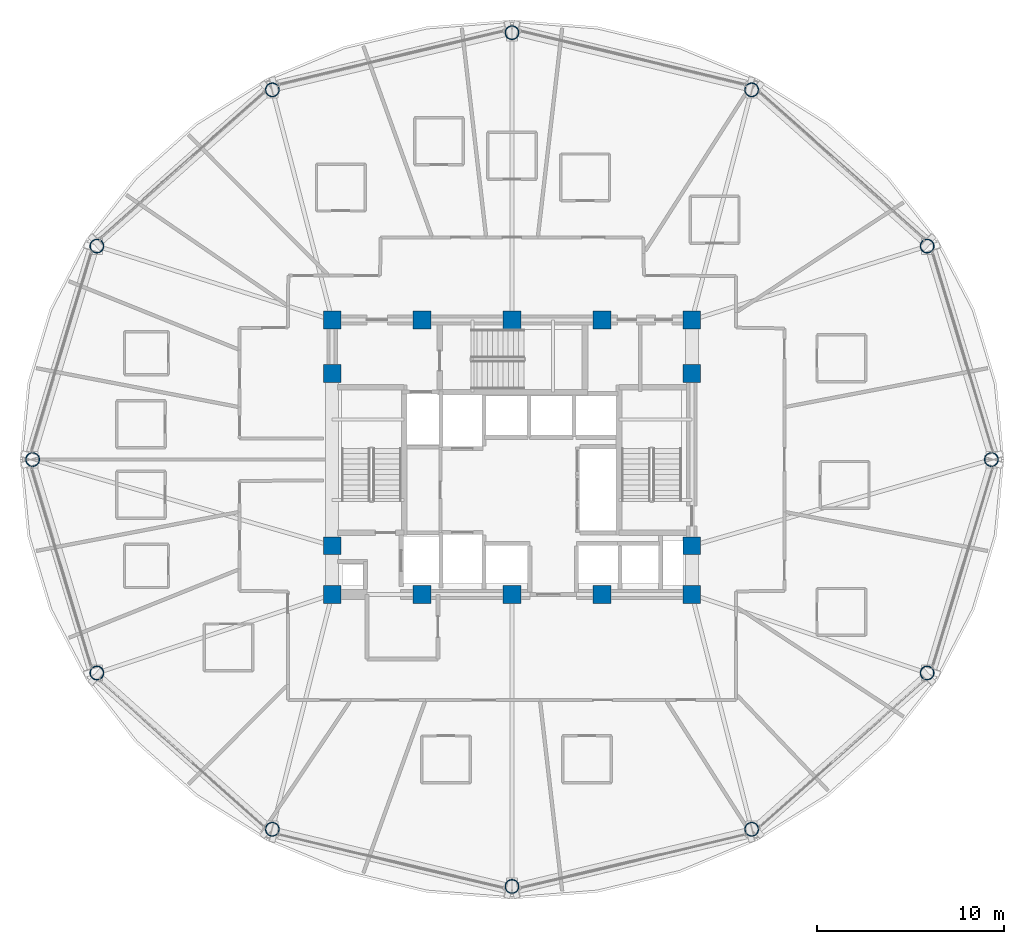
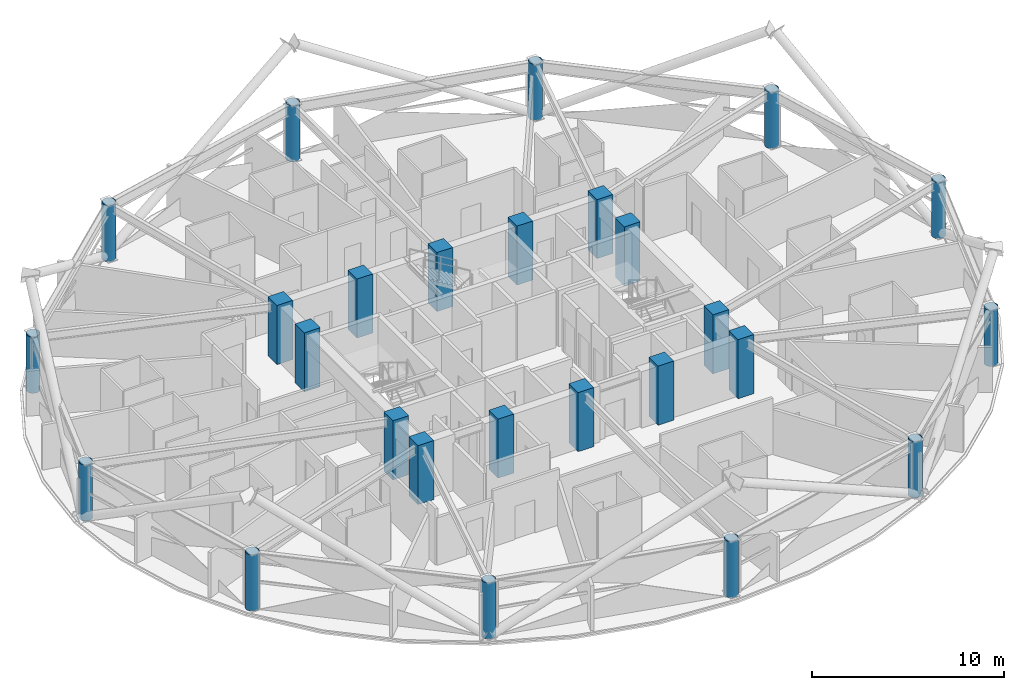
# One storey, part 1 of 32: 26 columns.
"""IFC4 building model written with IfcOpenShell, lengths in metres."""

from ifc_helpers import new_model, si_unit, direction, frame, origin, origin_2d, place, context, subcontext, project, spatial, rectangle, hollow_circle, extrude, material, material_profile, profile_set, type_object, element, save


model = new_model("IFC4")

# Units and contexts
model_context = context("Model", 3, precision=1e-05, world=origin(), true_north=direction((0.0, 1.0)))
body_context = subcontext(model_context, "Body", "Model", "MODEL_VIEW")
ifc_project = project(units=[si_unit("LENGTHUNIT", "METRE"), si_unit("AREAUNIT", "SQUARE_METRE"), si_unit("VOLUMEUNIT", "CUBIC_METRE"), si_unit("PLANEANGLEUNIT", "RADIAN"), si_unit("MASSUNIT", "GRAM", prefix="KILO")], contexts=[model_context])

# Site, building, storey
site_placement = place(None, origin())
site = spatial("IfcSite", under=ifc_project, at=site_placement, CompositionType="ELEMENT")
building_placement = place(site_placement, origin())
building = spatial("IfcBuilding", under=site, at=building_placement, Name="Vantalir Tower", CompositionType="ELEMENT")
storey_placement = place(building_placement, frame((0.0, 0.0, 104.699951171875)))
storey = spatial("IfcBuildingStorey", under=building, at=storey_placement, Name="L25", CompositionType="ELEMENT", Elevation=104.699951171875)

# Columns
ifc_material_1 = material(Name="Concrete C60/75", Category="concrete")
ifc_material_profile_1 = material_profile(ifc_material_1, rectangle(XDim=0.949951171875, YDim=0.949951171875, at=origin_2d()), Name="Concrete C60/75")
ifc_profile_set_1 = profile_set([ifc_material_profile_1], Name="Concrete C60/75")
column_type_1 = type_object("IfcColumnType", Name="COL-CC-950", PredefinedType="COLUMN", material=ifc_profile_set_1)
for number, where, z_axis, x_axis, name in (
    (1, (21.89990234375, 17.800048828125, 0.0), (0.0, 0.0, 1.0), (1.0, 0.0, 0.0), "L25 Core Column CC01"),
    (2, (26.699951171875, 17.800048828125, 0.0), (0.0, 0.0, 1.0), (1.0, 0.0, 0.0), "L25 Core Column CC02"),
    (3, (31.5, 17.800048828125, 0.0), (0.0, 0.0, 1.0), (1.0, 0.0, 0.0), "L25 Core Column CC03"),
    (4, (36.300048828125, 17.800048828125, 0.0), (0.0, 0.0, 1.0), (1.0, 0.0, 0.0), "L25 Core Column CC04"),
    (5, (41.10009765625, 17.800048828125, 0.0), (0.0, 0.0, 1.0), (1.0, 0.0, 0.0), "L25 Core Column CC05"),
    (6, (21.89990234375, 20.39990234375, 0.0), (0.0, 0.0, 1.0), (1.0, 0.0, 0.0), "L25 Core Column CC06"),
    (7, (21.89990234375, 29.60009765625, 0.0), (0.0, 0.0, 1.0), (1.0, 0.0, 0.0), "L25 Core Column CC07"),
    (8, (41.10009765625, 20.39990234375, 0.0), (0.0, 0.0, 1.0), (1.0, 0.0, 0.0), "L25 Core Column CC08"),
    (9, (41.10009765625, 29.60009765625, 0.0), (0.0, 0.0, 1.0), (1.0, 0.0, 0.0), "L25 Core Column CC09"),
    (10, (21.89990234375, 32.449951171875, 0.0), (0.0, 0.0, 1.0), (1.0, 0.0, 0.0), "L25 Core Column CC10"),
    (11, (26.699951171875, 32.449951171875, 0.0), (0.0, 0.0, 1.0), (1.0, 0.0, 0.0), "L25 Core Column CC11"),
    (12, (31.5, 32.449951171875, 0.0), (0.0, 0.0, 1.0), (1.0, 0.0, 0.0), "L25 Core Column CC12"),
    (13, (36.300048828125, 32.449951171875, 0.0), (0.0, 0.0, 1.0), (1.0, 0.0, 0.0), "L25 Core Column CC13"),
    (14, (41.10009765625, 32.449951171875, 0.0), (0.0, 0.0, 1.0), (1.0, 0.0, 0.0), "L25 Core Column CC14"),
):
    element("IfcColumn", number, at=place(storey_placement, frame(where, z_axis=z_axis, x_axis=x_axis)), inside=storey, type_object=column_type_1, Name=name, PredefinedType="COLUMN", context=body_context, shape_type="SweptSolid", body=[
        extrude(rectangle(XDim=0.949951171875, YDim=0.949951171875, at=origin_2d()), origin(), (0.0, 0.0, 1.0), 3.75),
    ])
ifc_material_2 = material(Name="Steel S460", Category="steel")
ifc_material_profile_2 = material_profile(ifc_material_2, hollow_circle(Radius=0.375, WallThickness=0.034912109375, at=origin_2d()), Name="Steel S460")
ifc_profile_set_2 = profile_set([ifc_material_profile_2], Name="Steel S460")
column_type_2 = type_object("IfcColumnType", Name="COL-RC-750", PredefinedType="COLUMN", material=ifc_profile_set_2)
for number, where, z_axis, x_axis, name in (
    (15, (57.087890625, 25.0, 0.0), (0.0, 0.0, 1.0), (1.0, 0.0, 0.0), "L25 Perimeter Ring Column RC01"),
    (16, (53.659912109375, 36.39404296875, 0.0), (0.0, 0.0, 1.0), (1.0, 0.0, 0.0), "L25 Perimeter Ring Column RC02"),
    (17, (44.2939453125, 44.735107421875, 0.0), (0.0, 0.0, 1.0), (1.0, 0.0, 0.0), "L25 Perimeter Ring Column RC03"),
    (18, (31.5, 47.7880859375, 0.0), (0.0, 0.0, 1.0), (1.0, 0.0, 0.0), "L25 Perimeter Ring Column RC04"),
    (19, (18.7060546875, 44.735107421875, 0.0), (0.0, 0.0, 1.0), (1.0, 0.0, 0.0), "L25 Perimeter Ring Column RC05"),
    (20, (9.340087890625, 36.39404296875, 0.0), (0.0, 0.0, 1.0), (1.0, 0.0, 0.0), "L25 Perimeter Ring Column RC06"),
    (21, (5.912109375, 25.0, 0.0), (0.0, 0.0, 1.0), (1.0, 0.0, 0.0), "L25 Perimeter Ring Column RC07"),
    (22, (9.340087890625, 13.60595703125, 0.0), (0.0, 0.0, 1.0), (1.0, 0.0, 0.0), "L25 Perimeter Ring Column RC08"),
    (23, (18.7060546875, 5.264892578125, 0.0), (0.0, 0.0, 1.0), (1.0, 0.0, 0.0), "L25 Perimeter Ring Column RC09"),
    (24, (31.5, 2.2119140625, 0.0), (0.0, 0.0, 1.0), (1.0, 0.0, 0.0), "L25 Perimeter Ring Column RC10"),
    (25, (44.2939453125, 5.264892578125, 0.0), (0.0, 0.0, 1.0), (1.0, 0.0, 0.0), "L25 Perimeter Ring Column RC11"),
    (26, (53.659912109375, 13.60595703125, 0.0), (0.0, 0.0, 1.0), (1.0, 0.0, 0.0), "L25 Perimeter Ring Column RC12"),
):
    element("IfcColumn", number, at=place(storey_placement, frame(where, z_axis=z_axis, x_axis=x_axis)), inside=storey, type_object=column_type_2, Name=name, PredefinedType="COLUMN", context=body_context, shape_type="SweptSolid", body=[
        extrude(hollow_circle(Radius=0.375, WallThickness=0.034912109375, at=origin_2d()), origin(), (0.0, 0.0, 1.0), 3.570068359375),
    ])

save(model, "model.ifc")
